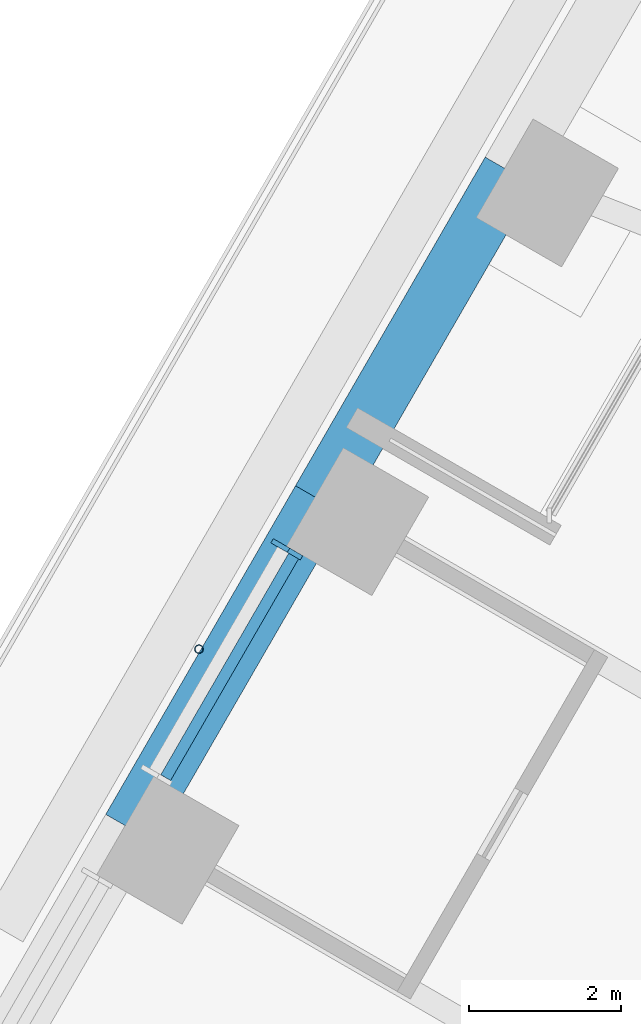
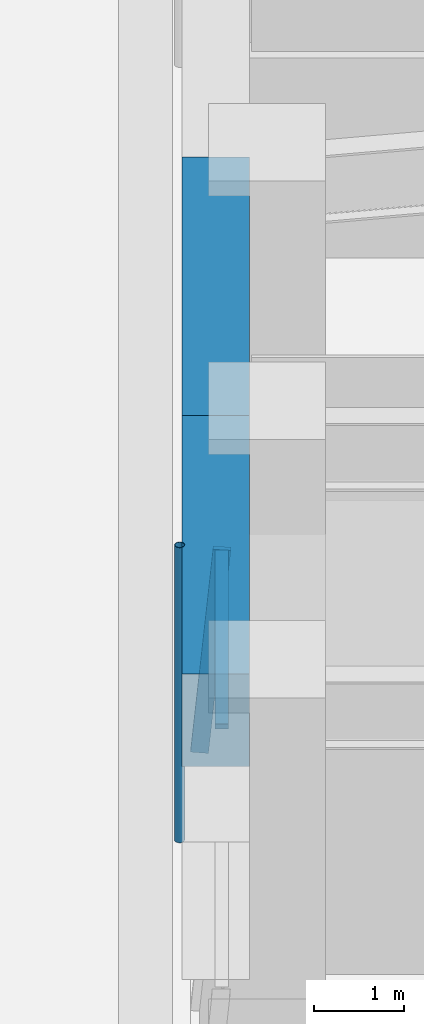
# One storey, part 7 of 24: 3 members, 2 beams, 1 element without a shape of its own.
"""IFC4 building model written with IfcOpenShell, lengths in metres."""

from ifc_helpers import new_model, si_unit, direction, frame, origin, origin_2d, place, context, subcontext, project, spatial, rectangle, hollow_circle, extrude, material, material_profile, profile_set, type_object, element, aggregate, save


model = new_model("IFC4")

# Units and contexts
model_context = context("Model", 3, precision=1e-05, world=origin(), true_north=direction((0.0, 1.0)))
body_context = subcontext(model_context, "Body", "Model", "MODEL_VIEW")
ifc_project = project(units=[si_unit("LENGTHUNIT", "METRE"), si_unit("AREAUNIT", "SQUARE_METRE"), si_unit("VOLUMEUNIT", "CUBIC_METRE"), si_unit("PLANEANGLEUNIT", "RADIAN"), si_unit("MASSUNIT", "GRAM", prefix="KILO")], contexts=[model_context])

# Site, building, storey
site_placement = place(None, origin())
site = spatial("IfcSite", under=ifc_project, at=site_placement, CompositionType="ELEMENT")
building_placement = place(site_placement, origin())
building = spatial("IfcBuilding", under=site, at=building_placement, Name="Tarfa Lantern Tower", CompositionType="ELEMENT")
storey_placement = place(building_placement, frame((0.0, 0.0, 182.5)))
storey = spatial("IfcBuildingStorey", under=building, at=storey_placement, Name="L41", CompositionType="ELEMENT", Elevation=182.5)

# Curtain wall, members
ifc_material_1 = material(Name="Aluminium framed curtain wall", Category="aluminium")
curtain_wall_type = type_object("IfcCurtainWallType", Name="CW2 CANTED GLAZING MID ZONE 2750", PredefinedType="USERDEFINED", material=ifc_material_1)
curtain_wall_placement = place(storey_placement, origin())
curtain_wall = element("IfcCurtainWall", 1, at=curtain_wall_placement, inside=storey, type_object=curtain_wall_type, Name="CW2 NWB L41", ObjectType="CURTAIN WALL", PredefinedType="USERDEFINED")
ifc_material_2 = material(Name="Aluminium mullion", Category="aluminium")
ifc_material_profile_1 = material_profile(ifc_material_2, rectangle(XDim=0.06494140625, YDim=0.199951171875, at=origin_2d()), Name="AL MULLION 65x200")
ifc_profile_set_1 = profile_set([ifc_material_profile_1], Name="Aluminium mullion")
member_type_1 = type_object("IfcMemberType", Name="CWM1 MULLION 65x200", PredefinedType="MULLION", material=ifc_profile_set_1)
member_1_placement = place(storey_placement, frame((-30.086181640625, 10.68896484375, 0.0), z_axis=(0.078335079308, -0.045268127094, 0.995898796073), x_axis=(0.500342721131, 0.865827443207, 0.0)))
member_1 = element("IfcMember", 2, at=member_1_placement, type_object=member_type_1, Name="CW2 mullion 1", PredefinedType="MULLION", context=body_context, shape_type="SweptSolid", body=[
    extrude(rectangle(XDim=0.06494140625, YDim=0.199951171875, at=origin_2d()), origin(), (0.0, 0.0, 1.0), 2.76123046875),
])
ifc_material_3 = material(Name="Aluminium transom", Category="aluminium")
ifc_material_profile_2 = material_profile(ifc_material_3, rectangle(XDim=0.14990234375, YDim=0.06494140625, at=origin_2d()), Name="AL TRANSOM 150x65")
ifc_profile_set_2 = profile_set([ifc_material_profile_2], Name="Aluminium transom")
member_type_2 = type_object("IfcMemberType", Name="CWT1 TRANSOM 150x65", PredefinedType="USERDEFINED", material=ifc_profile_set_2)
member_2_placement = place(storey_placement, frame((-29.888671875, 10.537353515625, 2.717529296875), z_axis=(-0.499991822116, -0.866030125237, 0.0), x_axis=(0.866030125237, -0.499991822116, 0.0)))
member_2 = element("IfcMember", 3, at=member_2_placement, type_object=member_type_2, Name="CW2 transom 1.2", ObjectType="TRANSOM", PredefinedType="USERDEFINED", context=body_context, shape_type="SweptSolid", body=[
    extrude(rectangle(XDim=0.14990234375, YDim=0.06494140625, at=origin_2d()), origin(), (0.0, 0.0, 1.0), 3.37353515625),
])
aggregate(curtain_wall, [member_1, member_2])

# Beams
ifc_material_4 = material(Name="Concrete C80/95", Category="concrete")
ifc_material_profile_3 = material_profile(ifc_material_4, rectangle(XDim=0.75, YDim=1.25, at=origin_2d()), Name="RC 750x1250")
ifc_profile_set_3 = profile_set([ifc_material_profile_3], Name="Concrete C80/95")
beam_type = type_object("IfcBeamType", Name="EB2 RC 750x1250", PredefinedType="SPANDREL", material=ifc_profile_set_3)
for number, where, z_axis, x_axis, name in (
    (4, (-27.037353515625, 15.610107421875, 3.375), (-0.499964603504, -0.866045838996, 0.0), (0.866045838996, -0.499964603504, 0.0), "Edge beam NW3"),
    (5, (-29.5390625, 11.276611328125, 3.375), (-0.500022324899, -0.866012514114, 0.0), (0.866012514114, -0.500022324899, 0.0), "Edge beam NW4"),
):
    element("IfcBeam", number, at=place(storey_placement, frame(where, z_axis=z_axis, x_axis=x_axis)), inside=storey, type_object=beam_type, Name=name, PredefinedType="SPANDREL", context=body_context, shape_type="SweptSolid", body=[
        extrude(rectangle(XDim=0.75, YDim=1.25, at=origin_2d()), origin(), (0.0, 0.0, 1.0), 5.003662109375),
    ])

# Member
ifc_material_5 = material(Name="Steel S355", Category="steel")
ifc_material_profile_4 = material_profile(ifc_material_5, hollow_circle(Radius=0.05712890625, WallThickness=0.00634765625, at=origin_2d()), Name="CHS114.3x6.3")
ifc_profile_set_4 = profile_set([ifc_material_profile_4], Name="Steel S355")
member_type_3 = type_object("IfcMemberType", Name="TR1 GREEN WALL TRELLIS CHS114.3x6.3", PredefinedType="USERDEFINED", material=ifc_profile_set_4)
member_3_placement = place(storey_placement, frame((-31.136474609375, 9.31005859375, 0.0), z_axis=(0.0, 0.0, 1.0), x_axis=(1.0, 0.0, 0.0)))
element("IfcMember", 6, at=member_3_placement, inside=storey, type_object=member_type_3, Name="Trellis post NW 2", ObjectType="TRELLIS", PredefinedType="USERDEFINED", context=body_context, shape_type="SweptSolid", body=[
    extrude(hollow_circle(Radius=0.05712890625, WallThickness=0.00634765625, at=origin_2d()), origin(), (0.0, 0.0, 1.0), 4.0),
])

save(model, "model.ifc")
